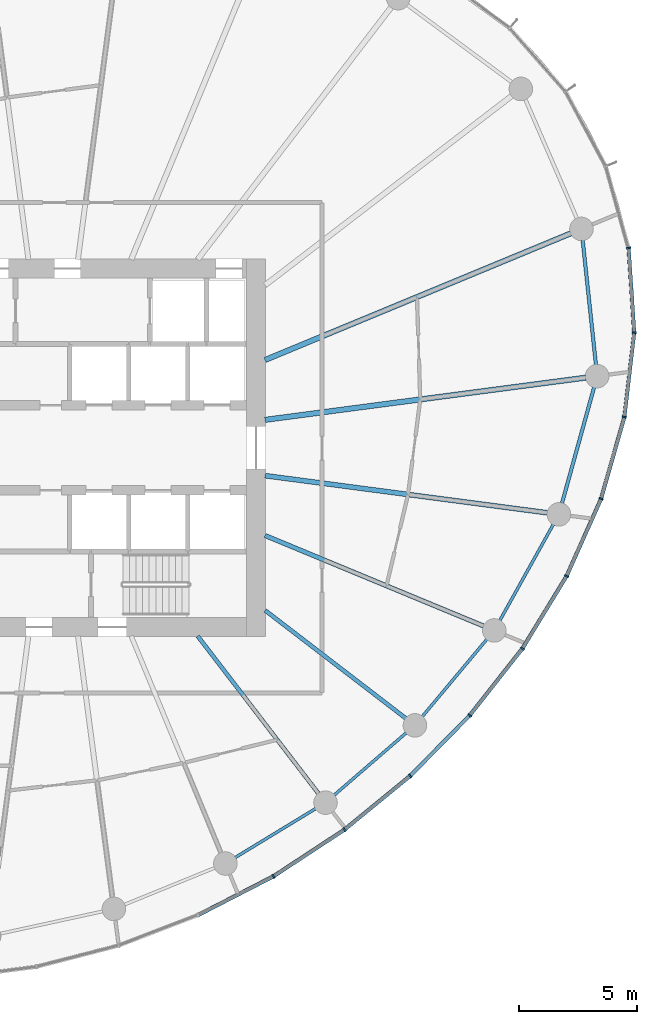
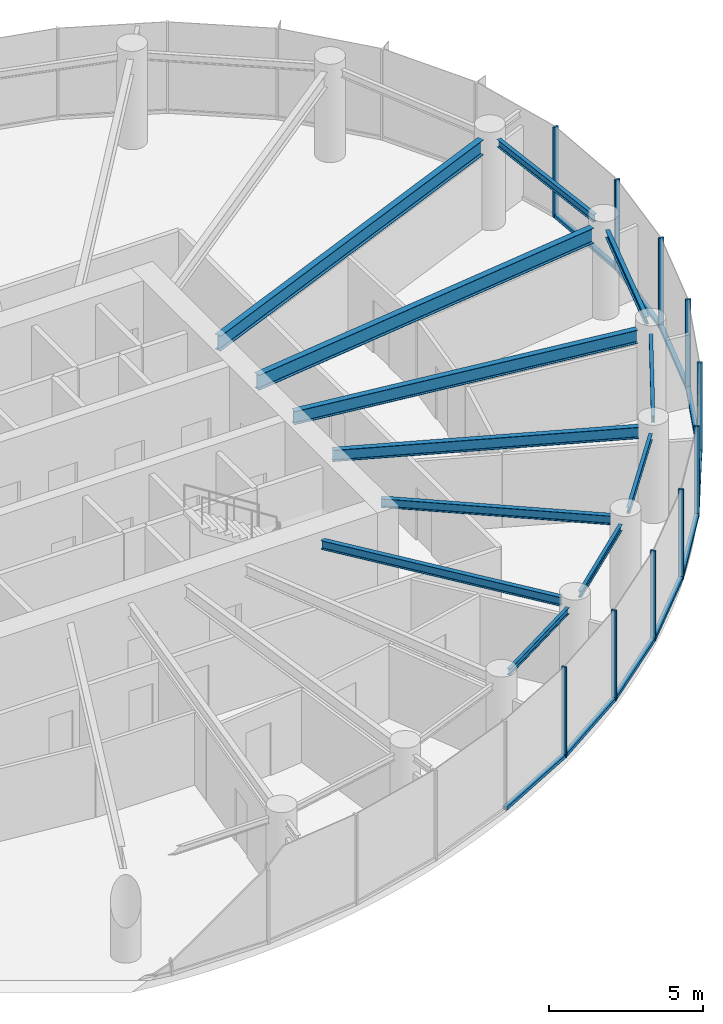
# One storey, part 4 of 14: 20 members, 12 beams, 3 elements without a shape of their own.
"""IFC4 building model written with IfcOpenShell, lengths in metres."""

from ifc_helpers import new_model, si_unit, direction, frame, origin, origin_2d, place, context, subcontext, project, spatial, rectangle, i_section, extrude, source, transform, mapped, material, layer, layer_set, material_profile, profile_set, type_object, element, aggregate, save


model = new_model("IFC4")

# Units and contexts
model_context = context("Model", 3, precision=1e-05, world=origin(), true_north=direction((0.0, 1.0)))
body_context = subcontext(model_context, "Body", "Model", "MODEL_VIEW")
ifc_project = project(units=[si_unit("LENGTHUNIT", "METRE"), si_unit("AREAUNIT", "SQUARE_METRE"), si_unit("VOLUMEUNIT", "CUBIC_METRE"), si_unit("PLANEANGLEUNIT", "RADIAN"), si_unit("MASSUNIT", "GRAM", prefix="KILO")], contexts=[model_context])

# Site, building, storey
site_placement = place(None, origin())
site = spatial("IfcSite", under=ifc_project, at=site_placement, CompositionType="ELEMENT")
building_placement = place(site_placement, origin())
building = spatial("IfcBuilding", under=site, at=building_placement, Name="Spindrift Exchange Tower", CompositionType="ELEMENT")
storey_placement = place(building_placement, frame((0.0, 0.0, 160.39990234375)))
storey = spatial("IfcBuildingStorey", under=building, at=storey_placement, Name="L38", CompositionType="ELEMENT", Elevation=160.39990234375)

# Beams
ifc_material_1 = material(Name="Steel Grade 300", Category="steel")
ifc_material_profile_1 = material_profile(ifc_material_1, i_section(OverallWidth=0.14892578125, OverallDepth=0.298095703125, WebThickness=0.005615234375, FlangeThickness=0.008056640625, FilletRadius=0.012939453125, at=origin_2d()), Name="310UB32.0")
ifc_profile_set_1 = profile_set([ifc_material_profile_1], Name="Steel Grade 300")
beam_type_1 = type_object("IfcBeamType", Name="Edge Beam 310UB32.0 Steel Grade 300", PredefinedType="SPANDREL", material=ifc_profile_set_1)
shared_shape_1 = source(origin(), body_context, "Body", "SweptSolid", [
    extrude(i_section(OverallWidth=0.14892578125, OverallDepth=0.298095703125, WebThickness=0.005615234375, FlangeThickness=0.008056640625, FilletRadius=0.012939453125, at=origin_2d()), origin(), (0.0, 0.0, 1.0), 5.31640625),
])
beam_1_placement = place(storey_placement, frame((75.010986328125, 51.513427734375, 3.43115234375), z_axis=(-0.10598990948, 0.994367205357, 0.0), x_axis=(-0.994367205357, -0.10598990948, 0.0)))
element("IfcBeam", 1, at=beam_1_placement, inside=storey, type_object=beam_type_1, Name="L38 edge beam E01", PredefinedType="SPANDREL", context=body_context, shape_type="MappedRepresentation", body=[
    mapped(shared_shape_1, transform((0.0, 0.0, 0.0), scale=1.0)),
])
ifc_material_profile_2 = material_profile(ifc_material_1, i_section(OverallWidth=0.1240234375, OverallDepth=0.248046875, WebThickness=0.0048828125, FlangeThickness=0.008056640625, FilletRadius=0.011962890625, at=origin_2d()), Name="250UB25.7")
ifc_profile_set_2 = profile_set([ifc_material_profile_2], Name="Steel Grade 300")
beam_type_2 = type_object("IfcBeamType", Name="Edge Beam 250UB25.7 Steel Grade 300", PredefinedType="SPANDREL", material=ifc_profile_set_2)
shared_shape_2 = source(origin(), body_context, "Body", "SweptSolid", [
    extrude(i_section(OverallWidth=0.1240234375, OverallDepth=0.248046875, WebThickness=0.0048828125, FlangeThickness=0.008056640625, FilletRadius=0.011962890625, at=origin_2d()), origin(), (0.0, 0.0, 1.0), 4.00634765625),
])
beam_2_placement = place(storey_placement, frame((59.7109375, 30.623779296875, 3.4560546875), z_axis=(0.854331495603, 0.519728482596, 0.0), x_axis=(-0.519728482596, 0.854331495603, 0.0)))
element("IfcBeam", 2, at=beam_2_placement, inside=storey, type_object=beam_type_2, Name="L38 edge beam E20", PredefinedType="SPANDREL", context=body_context, shape_type="MappedRepresentation", body=[
    mapped(shared_shape_2, transform((0.0, 0.0, 0.0), scale=1.0)),
])
shared_shape_3 = source(origin(), body_context, "Body", "SweptSolid", [
    extrude(i_section(OverallWidth=0.1240234375, OverallDepth=0.248046875, WebThickness=0.0048828125, FlangeThickness=0.008056640625, FilletRadius=0.011962890625, at=origin_2d()), origin(), (0.0, 0.0, 1.0), 4.052001953125),
])
beam_3_placement = place(storey_placement, frame((63.906982421875, 33.269287109375, 3.4560546875), z_axis=(0.756715968535, 0.65374379, 0.0), x_axis=(-0.65374379, 0.756715968535, 0.0)))
element("IfcBeam", 3, at=beam_3_placement, inside=storey, type_object=beam_type_2, Name="L38 edge beam E21", PredefinedType="SPANDREL", context=body_context, shape_type="MappedRepresentation", body=[
    mapped(shared_shape_3, transform((0.0, 0.0, 0.0), scale=1.0)),
])
shared_shape_4 = source(origin(), body_context, "Body", "SweptSolid", [
    extrude(i_section(OverallWidth=0.1240234375, OverallDepth=0.248046875, WebThickness=0.0048828125, FlangeThickness=0.008056640625, FilletRadius=0.011962890625, at=origin_2d()), origin(), (0.0, 0.0, 1.0), 4.282958984375),
])
beam_4_placement = place(storey_placement, frame((67.644287109375, 36.600341796875, 3.4560546875), z_axis=(0.641400288548, 0.767206406289, 0.0), x_axis=(-0.767206406289, 0.641400288548, 0.0)))
element("IfcBeam", 4, at=beam_4_placement, inside=storey, type_object=beam_type_2, Name="L38 edge beam E22", PredefinedType="SPANDREL", context=body_context, shape_type="MappedRepresentation", body=[
    mapped(shared_shape_4, transform((0.0, 0.0, 0.0), scale=1.0)),
])
shared_shape_5 = source(origin(), body_context, "Body", "SweptSolid", [
    extrude(i_section(OverallWidth=0.1240234375, OverallDepth=0.248046875, WebThickness=0.0048828125, FlangeThickness=0.008056640625, FilletRadius=0.011962890625, at=origin_2d()), origin(), (0.0, 0.0, 1.0), 4.6748046875),
])
beam_5_placement = place(storey_placement, frame((70.932861328125, 40.673828125, 3.4560546875), z_axis=(0.486587145143, 0.873632045075, 0.0), x_axis=(-0.873632045075, 0.486587145143, 0.0)))
element("IfcBeam", 5, at=beam_5_placement, inside=storey, type_object=beam_type_2, Name="L38 edge beam E23", PredefinedType="SPANDREL", context=body_context, shape_type="MappedRepresentation", body=[
    mapped(shared_shape_5, transform((0.0, 0.0, 0.0), scale=1.0)),
])
shared_shape_6 = source(origin(), body_context, "Body", "SweptSolid", [
    extrude(i_section(OverallWidth=0.14892578125, OverallDepth=0.298095703125, WebThickness=0.005615234375, FlangeThickness=0.008056640625, FilletRadius=0.012939453125, at=origin_2d()), origin(), (0.0, 0.0, 1.0), 5.118896484375),
])
beam_6_placement = place(storey_placement, frame((73.569091796875, 45.639892578125, 3.43115234375), z_axis=(0.266654866605, 0.963792084485, 0.0), x_axis=(-0.963792084485, 0.266654866605, 0.0)))
element("IfcBeam", 6, at=beam_6_placement, inside=storey, type_object=beam_type_1, Name="L38 edge beam E24", PredefinedType="SPANDREL", context=body_context, shape_type="MappedRepresentation", body=[
    mapped(shared_shape_6, transform((0.0, 0.0, 0.0), scale=1.0)),
])
ifc_material_profile_3 = material_profile(ifc_material_1, i_section(OverallWidth=0.22802734375, OverallDepth=0.60205078125, WebThickness=0.010498046875, FlangeThickness=0.014892578125, FilletRadius=0.013916015625, at=origin_2d()), Name="610UB101")
ifc_profile_set_3 = profile_set([ifc_material_profile_3], Name="Steel Grade 300")
beam_type_3 = type_object("IfcBeamType", Name="Floor Beam 610UB101 Steel Grade 300", PredefinedType="BEAM", material=ifc_profile_set_3)
shared_shape_7 = source(origin(), body_context, "Body", "SweptSolid", [
    extrude(i_section(OverallWidth=0.22802734375, OverallDepth=0.60205078125, WebThickness=0.010498046875, FlangeThickness=0.014892578125, FilletRadius=0.013916015625, at=origin_2d()), origin(), (0.0, 0.0, 1.0), 13.723388671875),
])
beam_7_placement = place(storey_placement, frame((60.980224609375, 49.182373046875, 3.279052734375), z_axis=(0.991447148915, 0.13050881544, 0.0), x_axis=(-0.13050881544, 0.991447148915, 0.0)))
element("IfcBeam", 7, at=beam_7_placement, inside=storey, type_object=beam_type_3, Name="L38 radial beam R01A", PredefinedType="BEAM", context=body_context, shape_type="MappedRepresentation", body=[
    mapped(shared_shape_7, transform((0.0, 0.0, 0.0), scale=1.0)),
])
shared_shape_8 = source(origin(), body_context, "Body", "SweptSolid", [
    extrude(i_section(OverallWidth=0.22802734375, OverallDepth=0.60205078125, WebThickness=0.010498046875, FlangeThickness=0.014892578125, FilletRadius=0.013916015625, at=origin_2d()), origin(), (0.0, 0.0, 1.0), 14.04052734375),
])
beam_8_placement = place(storey_placement, frame((60.9814453125, 51.72021484375, 3.279052734375), z_axis=(0.923879501748, 0.382683506634, 0.0), x_axis=(-0.382683506634, 0.923879501748, 0.0)))
element("IfcBeam", 8, at=beam_8_placement, inside=storey, type_object=beam_type_3, Name="L38 radial beam R02A", PredefinedType="BEAM", context=body_context, shape_type="MappedRepresentation", body=[
    mapped(shared_shape_8, transform((0.0, 0.0, 0.0), scale=1.0)),
])
ifc_material_profile_4 = material_profile(ifc_material_1, i_section(OverallWidth=0.1708984375, OverallDepth=0.35205078125, WebThickness=0.0068359375, FlangeThickness=0.009765625, FilletRadius=0.013916015625, at=origin_2d()), Name="360UB44.7")
ifc_profile_set_4 = profile_set([ifc_material_profile_4], Name="Steel Grade 300")
beam_type_4 = type_object("IfcBeamType", Name="Floor Beam 360UB44.7 Steel Grade 300", PredefinedType="BEAM", material=ifc_profile_set_4)
shared_shape_9 = source(origin(), body_context, "Body", "SweptSolid", [
    extrude(i_section(OverallWidth=0.1708984375, OverallDepth=0.35205078125, WebThickness=0.0068359375, FlangeThickness=0.009765625, FilletRadius=0.013916015625, at=origin_2d()), origin(), (0.0, 0.0, 1.0), 8.419189453125),
])
beam_9_placement = place(storey_placement, frame((58.12646484375, 40.015869140625, 3.404052734375), z_axis=(0.608755970582, -0.79335752866, 0.0), x_axis=(0.79335752866, 0.608755970582, 0.0)))
element("IfcBeam", 9, at=beam_9_placement, inside=storey, type_object=beam_type_4, Name="L38 radial beam R21A", PredefinedType="BEAM", context=body_context, shape_type="MappedRepresentation", body=[
    mapped(shared_shape_9, transform((0.0, 0.0, 0.0), scale=1.0)),
])
shared_shape_10 = source(origin(), body_context, "Body", "SweptSolid", [
    extrude(i_section(OverallWidth=0.1708984375, OverallDepth=0.35205078125, WebThickness=0.0068359375, FlangeThickness=0.009765625, FilletRadius=0.013916015625, at=origin_2d()), origin(), (0.0, 0.0, 1.0), 7.52685546875),
])
beam_10_placement = place(storey_placement, frame((60.984130859375, 41.106201171875, 3.404052734375), z_axis=(0.793354136078, -0.608760391918, 0.0), x_axis=(0.608760391918, 0.793354136078, 0.0)))
element("IfcBeam", 10, at=beam_10_placement, inside=storey, type_object=beam_type_4, Name="L38 radial beam R22A", PredefinedType="BEAM", context=body_context, shape_type="MappedRepresentation", body=[
    mapped(shared_shape_10, transform((0.0, 0.0, 0.0), scale=1.0)),
])
ifc_material_profile_5 = material_profile(ifc_material_1, i_section(OverallWidth=0.18994140625, OverallDepth=0.4541015625, WebThickness=0.008544921875, FlangeThickness=0.0126953125, FilletRadius=0.013916015625, at=origin_2d()), Name="460UB67.1")
ifc_profile_set_5 = profile_set([ifc_material_profile_5], Name="Steel Grade 300")
beam_type_5 = type_object("IfcBeamType", Name="Floor Beam 460UB67.1 Steel Grade 300", PredefinedType="BEAM", material=ifc_profile_set_5)
shared_shape_11 = source(origin(), body_context, "Body", "SweptSolid", [
    extrude(i_section(OverallWidth=0.18994140625, OverallDepth=0.4541015625, WebThickness=0.008544921875, FlangeThickness=0.0126953125, FilletRadius=0.013916015625, at=origin_2d()), origin(), (0.0, 0.0, 1.0), 10.03857421875),
])
beam_11_placement = place(storey_placement, frame((60.9814453125, 44.27978515625, 3.35302734375), z_axis=(0.923880777638, -0.382680426349, 0.0), x_axis=(0.382680426349, 0.923880777638, 0.0)))
element("IfcBeam", 11, at=beam_11_placement, inside=storey, type_object=beam_type_5, Name="L38 radial beam R23A", PredefinedType="BEAM", context=body_context, shape_type="MappedRepresentation", body=[
    mapped(shared_shape_11, transform((0.0, 0.0, 0.0), scale=1.0)),
])
ifc_material_profile_6 = material_profile(ifc_material_1, i_section(OverallWidth=0.208984375, OverallDepth=0.528076171875, WebThickness=0.009521484375, FlangeThickness=0.01318359375, FilletRadius=0.013916015625, at=origin_2d()), Name="530UB82.0")
ifc_profile_set_6 = profile_set([ifc_material_profile_6], Name="Steel Grade 300")
beam_type_6 = type_object("IfcBeamType", Name="Floor Beam 530UB82.0 Steel Grade 300", PredefinedType="BEAM", material=ifc_profile_set_6)
shared_shape_12 = source(origin(), body_context, "Body", "SweptSolid", [
    extrude(i_section(OverallWidth=0.208984375, OverallDepth=0.528076171875, WebThickness=0.009521484375, FlangeThickness=0.01318359375, FilletRadius=0.013916015625, at=origin_2d()), origin(), (0.0, 0.0, 1.0), 12.088134765625),
])
beam_12_placement = place(storey_placement, frame((60.980224609375, 46.817626953125, 3.316162109375), z_axis=(0.991447007302, -0.130509891244, 0.0), x_axis=(0.130509891244, 0.991447007302, 0.0)))
element("IfcBeam", 12, at=beam_12_placement, inside=storey, type_object=beam_type_6, Name="L38 radial beam R24A", PredefinedType="BEAM", context=body_context, shape_type="MappedRepresentation", body=[
    mapped(shared_shape_12, transform((0.0, 0.0, 0.0), scale=1.0)),
])

# Curtain wall, member
ifc_material_2 = material(Name="Fritted laminated glass with bronze frame", Category="glass")
ifc_layer = layer(ifc_material_2, 0.179931640625)
ifc_layer_set = layer_set([ifc_layer], Name="ZONE 3 BRONZE FRITTED WALL")
curtain_wall_type = type_object("IfcCurtainWallType", Name="ZONE 3 BRONZE FRITTED WALL", PredefinedType="NOTDEFINED", material=ifc_layer_set)
curtain_wall_1_placement = place(storey_placement, origin())
curtain_wall_1 = element("IfcCurtainWall", 13, at=curtain_wall_1_placement, inside=storey, type_object=curtain_wall_type, Name="L38 Zone 3 Bronze Fritted Wall run 5", PredefinedType="NOTDEFINED")
ifc_material_3 = material(Name="Bronze anodised aluminium", Category="aluminium")
ifc_material_profile_7 = material_profile(ifc_material_3, rectangle(XDim=0.159912109375, YDim=0.1298828125, at=origin_2d()), Name="ZONE 3 BRONZE FRITTED WALL TRANSOM 160X130")
ifc_profile_set_7 = profile_set([ifc_material_profile_7], Name="Bronze anodised aluminium")
member_type_1 = type_object("IfcMemberType", Name="ZONE 3 BRONZE FRITTED WALL TRANSOM 160X130", PredefinedType="USERDEFINED", material=ifc_profile_set_7)
shared_shape_13 = source(origin(), body_context, "Body", "SweptSolid", [
    extrude(rectangle(XDim=0.159912109375, YDim=0.1298828125, at=origin_2d()), origin(), (0.0, 0.0, 1.0), 3.53076171875),
])
member_1_placement = place(storey_placement, frame((58.16796875, 28.19921875, 0.065185546875), z_axis=(0.889082014663, 0.457747934132, 0.0), x_axis=(-0.457747934132, 0.889082014663, 0.0)))
member_1 = element("IfcMember", 14, at=member_1_placement, type_object=member_type_1, Name="L38 transom CW-3.30", ObjectType="TRANSOM", PredefinedType="USERDEFINED", context=body_context, shape_type="MappedRepresentation", body=[
    mapped(shared_shape_13, transform((0.0, 0.0, 0.0), scale=1.0)),
])
aggregate(curtain_wall_1, [member_1])

# Curtain wall, members
curtain_wall_2_placement = place(storey_placement, origin())
curtain_wall_2 = element("IfcCurtainWall", 15, at=curtain_wall_2_placement, inside=storey, type_object=curtain_wall_type, Name="L38 Zone 3 Bronze Fritted Wall run 6", PredefinedType="NOTDEFINED")
member_2_placement = place(storey_placement, frame((67.158935546875, 34.114013671875, 0.065185546875), z_axis=(0.701762496127, 0.712410976214, 0.0), x_axis=(-0.712410976214, 0.701762496127, 0.0)))
member_2 = element("IfcMember", 16, at=member_2_placement, type_object=member_type_1, Name="L38 transom CW-3.33", ObjectType="TRANSOM", PredefinedType="USERDEFINED", context=body_context, shape_type="MappedRepresentation", body=[
    mapped(shared_shape_13, transform((0.0, 0.0, 0.0), scale=1.0)),
])
member_3_placement = place(storey_placement, frame((69.682861328125, 36.681884765625, 0.065185546875), z_axis=(0.61846876923, 0.785809379867, 0.0), x_axis=(-0.785809379867, 0.61846876923, 0.0)))
member_3 = element("IfcMember", 17, at=member_3_placement, type_object=member_type_1, Name="L38 transom CW-3.34", ObjectType="TRANSOM", PredefinedType="USERDEFINED", context=body_context, shape_type="MappedRepresentation", body=[
    mapped(shared_shape_13, transform((0.0, 0.0, 0.0), scale=1.0)),
])
shared_shape_14 = source(origin(), body_context, "Body", "SweptSolid", [
    extrude(rectangle(XDim=0.159912109375, YDim=0.1298828125, at=origin_2d()), origin(), (0.0, 0.0, 1.0), 3.531005859375),
])
member_4_placement = place(storey_placement, frame((61.367431640625, 29.8505859375, 0.065185546875), z_axis=(0.835870455003, 0.548926755089, 0.0), x_axis=(-0.548926755089, 0.835870455003, 0.0)))
member_4 = element("IfcMember", 18, at=member_4_placement, type_object=member_type_1, Name="L38 transom CW-3.31", ObjectType="TRANSOM", PredefinedType="USERDEFINED", context=body_context, shape_type="MappedRepresentation", body=[
    mapped(shared_shape_14, transform((0.0, 0.0, 0.0), scale=1.0)),
])
member_5_placement = place(storey_placement, frame((64.375244140625, 31.830078125, 0.065185546875), z_axis=(0.773701546777, 0.633550247821, 0.0), x_axis=(-0.633550247821, 0.773701546777, 0.0)))
member_5 = element("IfcMember", 19, at=member_5_placement, type_object=member_type_1, Name="L38 transom CW-3.32", ObjectType="TRANSOM", PredefinedType="USERDEFINED", context=body_context, shape_type="MappedRepresentation", body=[
    mapped(shared_shape_14, transform((0.0, 0.0, 0.0), scale=1.0)),
])
shared_shape_15 = source(origin(), body_context, "Body", "SweptSolid", [
    extrude(rectangle(XDim=0.159912109375, YDim=0.1298828125, at=origin_2d()), origin(), (0.0, 0.0, 1.0), 3.5302734375),
])
member_6_placement = place(storey_placement, frame((71.90625, 39.513671875, 0.065185546875), z_axis=(0.521374478664, 0.853327986766, 0.0), x_axis=(-0.853327986766, 0.521374478664, 0.0)))
member_6 = element("IfcMember", 20, at=member_6_placement, type_object=member_type_1, Name="L38 transom CW-3.35", ObjectType="TRANSOM", PredefinedType="USERDEFINED", context=body_context, shape_type="MappedRepresentation", body=[
    mapped(shared_shape_15, transform((0.0, 0.0, 0.0), scale=1.0)),
])
ifc_material_profile_8 = material_profile(ifc_material_3, rectangle(XDim=0.070068359375, YDim=0.179931640625, at=origin_2d()), Name="ZONE 3 BRONZE FRITTED WALL MULLION 70X180")
ifc_profile_set_8 = profile_set([ifc_material_profile_8], Name="Bronze anodised aluminium")
member_type_2 = type_object("IfcMemberType", Name="ZONE 3 BRONZE FRITTED WALL MULLION 70X180", PredefinedType="MULLION", material=ifc_profile_set_8)
shared_shape_16 = source(origin(), body_context, "Body", "SweptSolid", [
    extrude(rectangle(XDim=0.070068359375, YDim=0.179931640625, at=origin_2d()), origin(), (0.0, 0.0, 1.0), 3.580078125),
])
member_7_placement = place(storey_placement, frame((61.338134765625, 29.831298828125, 0.0), z_axis=(0.0, 0.0, 1.0), x_axis=(0.863679835397, 0.504040813752, 0.0)))
member_7 = element("IfcMember", 21, at=member_7_placement, type_object=member_type_2, Name="L38 mullion CW-3.31", PredefinedType="MULLION", context=body_context, shape_type="MappedRepresentation", body=[
    mapped(shared_shape_16, transform((0.0, 0.0, 0.0), scale=1.0)),
])
member_8_placement = place(storey_placement, frame((64.34814453125, 31.80810546875, 0.0), z_axis=(0.0, 0.0, 1.0), x_axis=(0.805919112959, 0.592025661072, 0.0)))
member_8 = element("IfcMember", 22, at=member_8_placement, type_object=member_type_2, Name="L38 mullion CW-3.32", PredefinedType="MULLION", context=body_context, shape_type="MappedRepresentation", body=[
    mapped(shared_shape_16, transform((0.0, 0.0, 0.0), scale=1.0)),
])
member_9_placement = place(storey_placement, frame((67.13427734375, 34.089111328125, 0.0), z_axis=(0.0, 0.0, 1.0), x_axis=(0.738822560476, 0.673900010485, 0.0)))
member_9 = element("IfcMember", 23, at=member_9_placement, type_object=member_type_2, Name="L38 mullion CW-3.33", PredefinedType="MULLION", context=body_context, shape_type="MappedRepresentation", body=[
    mapped(shared_shape_16, transform((0.0, 0.0, 0.0), scale=1.0)),
])
member_10_placement = place(storey_placement, frame((69.661376953125, 36.654296875, 0.0), z_axis=(0.0, 0.0, 1.0), x_axis=(0.661147114843, 0.750256284569, 0.0)))
member_10 = element("IfcMember", 24, at=member_10_placement, type_object=member_type_2, Name="L38 mullion CW-3.34", PredefinedType="MULLION", context=body_context, shape_type="MappedRepresentation", body=[
    mapped(shared_shape_16, transform((0.0, 0.0, 0.0), scale=1.0)),
])
member_11_placement = place(storey_placement, frame((71.88818359375, 39.483642578125, 0.0), z_axis=(0.0, 0.0, 1.0), x_axis=(0.570900389137, 0.821019333319, 0.0)))
member_11 = element("IfcMember", 25, at=member_11_placement, type_object=member_type_2, Name="L38 mullion CW-3.35", PredefinedType="MULLION", context=body_context, shape_type="MappedRepresentation", body=[
    mapped(shared_shape_16, transform((0.0, 0.0, 0.0), scale=1.0)),
])
member_12_placement = place(storey_placement, frame((73.76513671875, 42.555908203125, 0.0), z_axis=(0.0, 0.0, 1.0), x_axis=(0.465381897719, 0.885109987106, 0.0)))
member_12 = element("IfcMember", 26, at=member_12_placement, type_object=member_type_2, Name="L38 mullion CW-3.36", PredefinedType="MULLION", context=body_context, shape_type="MappedRepresentation", body=[
    mapped(shared_shape_16, transform((0.0, 0.0, 0.0), scale=1.0)),
])

curtain_wall_3_placement = place(storey_placement, origin())
curtain_wall_3 = element("IfcCurtainWall", 27, at=curtain_wall_3_placement, inside=storey, type_object=curtain_wall_type, Name="L38 Zone 3 Bronze Fritted Wall run 7", PredefinedType="NOTDEFINED")
member_13_placement = place(storey_placement, frame((75.23193359375, 45.843505859375, 0.0), z_axis=(0.0, 0.0, 1.0), x_axis=(0.341273617216, 0.939963998349, 0.0)))
member_13 = element("IfcMember", 28, at=member_13_placement, type_object=member_type_2, Name="L38 mullion CW-3.37", PredefinedType="MULLION", context=body_context, shape_type="MappedRepresentation", body=[
    mapped(shared_shape_16, transform((0.0, 0.0, 0.0), scale=1.0)),
])
member_14_placement = place(storey_placement, frame((76.2158203125, 49.305419921875, 0.0), z_axis=(0.0, 0.0, 1.0), x_axis=(0.195110549619, 0.980781256666, 0.0)))
member_14 = element("IfcMember", 29, at=member_14_placement, type_object=member_type_2, Name="L38 mullion CW-3.38", PredefinedType="MULLION", context=body_context, shape_type="MappedRepresentation", body=[
    mapped(shared_shape_16, transform((0.0, 0.0, 0.0), scale=1.0)),
])
member_15_placement = place(storey_placement, frame((76.6318359375, 52.87939453125, 0.0), z_axis=(0.0, 0.0, 1.0), x_axis=(0.024729315489, 0.999694183716, 0.0)))
member_15 = element("IfcMember", 30, at=member_15_placement, type_object=member_type_2, Name="L38 mullion CW-3.39", PredefinedType="MULLION", context=body_context, shape_type="MappedRepresentation", body=[
    mapped(shared_shape_16, transform((0.0, 0.0, 0.0), scale=1.0)),
])
member_16_placement = place(storey_placement, frame((76.39306640625, 56.468505859375, 0.0), z_axis=(0.0, 0.0, 1.0), x_axis=(-0.167846132091, 0.985813205401, 0.0)))
member_16 = element("IfcMember", 31, at=member_16_placement, type_object=member_type_2, Name="L38 mullion CW-3.40", PredefinedType="MULLION", context=body_context, shape_type="MappedRepresentation", body=[
    mapped(shared_shape_16, transform((0.0, 0.0, 0.0), scale=1.0)),
])

# Member
shared_shape_17 = source(origin(), body_context, "Body", "SweptSolid", [
    extrude(rectangle(XDim=0.159912109375, YDim=0.1298828125, at=origin_2d()), origin(), (0.0, 0.0, 1.0), 3.530029296875),
])
member_17_placement = place(storey_placement, frame((73.779296875, 42.587890625, 0.065185546875), z_axis=(0.407498426049, 0.913205909293, 0.0), x_axis=(-0.913205909293, 0.407498426049, 0.0)))
member_17 = element("IfcMember", 32, at=member_17_placement, type_object=member_type_1, Name="L38 transom CW-3.36", ObjectType="TRANSOM", PredefinedType="USERDEFINED", context=body_context, shape_type="MappedRepresentation", body=[
    mapped(shared_shape_17, transform((0.0, 0.0, 0.0), scale=1.0)),
])

aggregate(curtain_wall_2, [member_7, member_4, member_8, member_5, member_9, member_2, member_10, member_3, member_11, member_6, member_12, member_17])

shared_shape_18 = source(origin(), body_context, "Body", "SweptSolid", [
    extrude(rectangle(XDim=0.159912109375, YDim=0.1298828125, at=origin_2d()), origin(), (0.0, 0.0, 1.0), 3.527099609375),
])
member_18_placement = place(storey_placement, frame((76.62939453125, 52.914306640625, 0.065185546875), z_axis=(-0.066381184108, 0.997794336723, 0.0), x_axis=(-0.997794336723, -0.066381184108, 0.0)))
member_18 = element("IfcMember", 33, at=member_18_placement, type_object=member_type_1, Name="L38 transom CW-3.39", ObjectType="TRANSOM", PredefinedType="USERDEFINED", context=body_context, shape_type="MappedRepresentation", body=[
    mapped(shared_shape_18, transform((0.0, 0.0, 0.0), scale=1.0)),
])

shared_shape_19 = source(origin(), body_context, "Body", "SweptSolid", [
    extrude(rectangle(XDim=0.159912109375, YDim=0.1298828125, at=origin_2d()), origin(), (0.0, 0.0, 1.0), 3.528076171875),
])
member_19_placement = place(storey_placement, frame((76.2197265625, 49.34033203125, 0.065185546875), z_axis=(0.115632646709, 0.993292047192, 0.0), x_axis=(-0.993292047192, 0.115632646709, 0.0)))
member_19 = element("IfcMember", 34, at=member_19_placement, type_object=member_type_1, Name="L38 transom CW-3.38", ObjectType="TRANSOM", PredefinedType="USERDEFINED", context=body_context, shape_type="MappedRepresentation", body=[
    mapped(shared_shape_19, transform((0.0, 0.0, 0.0), scale=1.0)),
])

shared_shape_20 = source(origin(), body_context, "Body", "SweptSolid", [
    extrude(rectangle(XDim=0.159912109375, YDim=0.1298828125, at=origin_2d()), origin(), (0.0, 0.0, 1.0), 3.529052734375),
])
member_20_placement = place(storey_placement, frame((75.241455078125, 45.876953125, 0.065185546875), z_axis=(0.273322916593, 0.96192233744, 0.0), x_axis=(-0.96192233744, 0.273322916593, 0.0)))
member_20 = element("IfcMember", 35, at=member_20_placement, type_object=member_type_1, Name="L38 transom CW-3.37", ObjectType="TRANSOM", PredefinedType="USERDEFINED", context=body_context, shape_type="MappedRepresentation", body=[
    mapped(shared_shape_20, transform((0.0, 0.0, 0.0), scale=1.0)),
])

aggregate(curtain_wall_3, [member_13, member_20, member_14, member_19, member_15, member_18, member_16])

save(model, "model.ifc")
